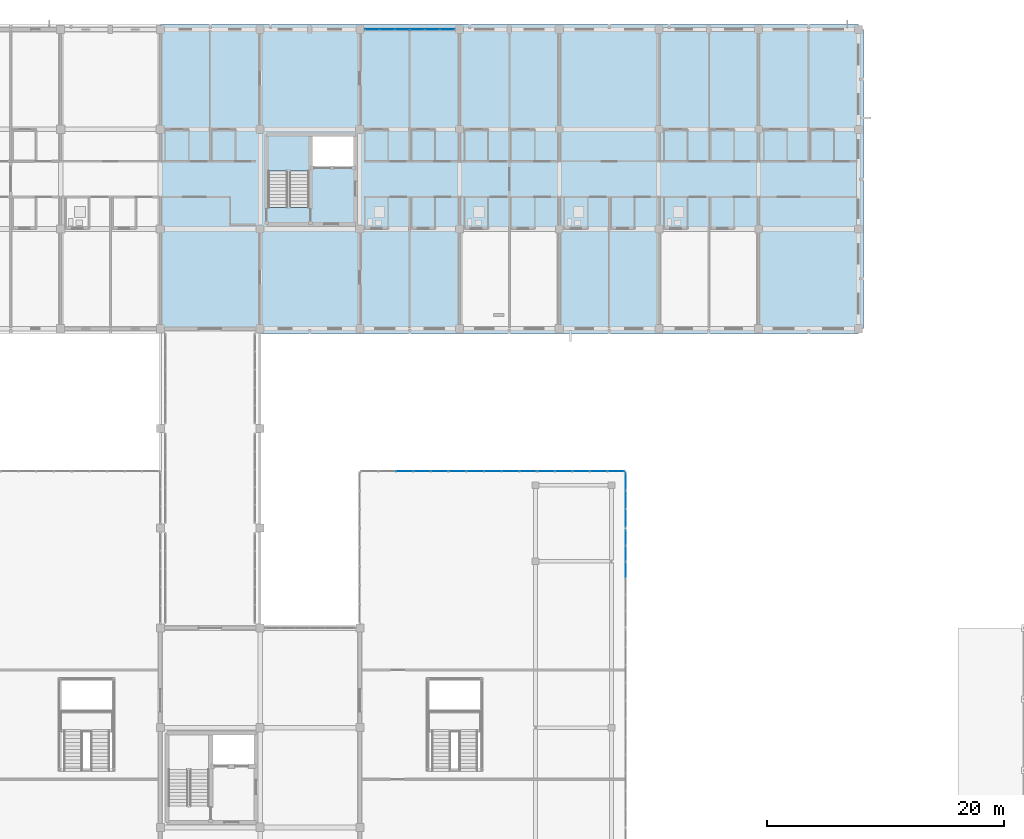
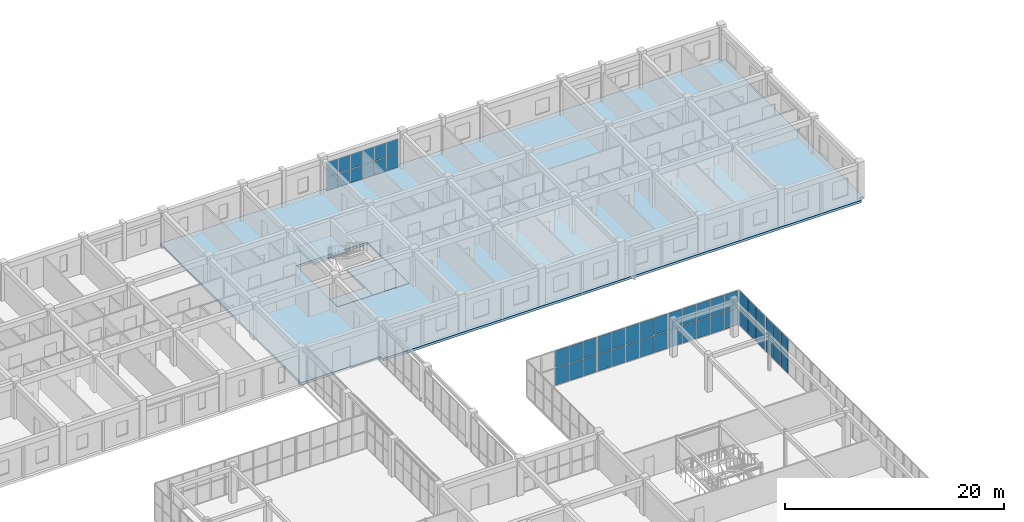
# One storey, part 104 of 140: 50 plates, 4 slabs, 7 elements without a shape of their own.
"""IFC4 building model written with IfcOpenShell, lengths in metres."""

from ifc_helpers import new_model, si_unit, direction, frame, origin, origin_2d, place, context, subcontext, project, spatial, polyline, rectangle, outline, extrude, material, layer, layer_set, type_object, element, aggregate, save


model = new_model("IFC4")

# Units and contexts
model_context = context("Model", 3, precision=1e-05, world=origin(), true_north=direction((0.0, 1.0)))
body_context = subcontext(model_context, "Body", "Model", "MODEL_VIEW")
ifc_project = project(units=[si_unit("LENGTHUNIT", "METRE"), si_unit("AREAUNIT", "SQUARE_METRE"), si_unit("VOLUMEUNIT", "CUBIC_METRE"), si_unit("PLANEANGLEUNIT", "RADIAN"), si_unit("MASSUNIT", "GRAM", prefix="KILO")], contexts=[model_context])

# Site, building, storey
site_placement = place(None, origin())
site = spatial("IfcSite", under=ifc_project, at=site_placement, CompositionType="ELEMENT")
building_placement = place(site_placement, origin())
building = spatial("IfcBuilding", under=site, at=building_placement, Name="Trelvath General Hospital", CompositionType="ELEMENT")
storey_placement = place(building_placement, frame((0.0, 0.0, 16.199951171875)))
storey = spatial("IfcBuildingStorey", under=building, at=storey_placement, Name="L04", CompositionType="ELEMENT", Elevation=16.199951171875)

# Curtain wall, plates
ifc_material_1 = material(Name="Anodised aluminium and low-E glass", Category="aluminium")
ifc_layer_1 = layer(ifc_material_1, 0.14990234375)
ifc_layer_set_1 = layer_set([ifc_layer_1], Name="Anodised aluminium and low-E glass")
curtain_wall_type_1 = type_object("IfcCurtainWallType", Name="CW Facade 761 332 15", PredefinedType="USERDEFINED", material=ifc_layer_set_1)
curtain_wall_1_placement = place(storey_placement, origin())
curtain_wall_1 = element("IfcCurtainWall", 1, at=curtain_wall_1_placement, inside=storey, type_object=curtain_wall_type_1, Name="Facade Curtain Wall CW-067", ObjectType="Unitised Glazed Curtain Wall", PredefinedType="USERDEFINED")
ifc_material_2 = material(Name="Low-E laminated glass", Category="glass")
ifc_layer_2 = layer(ifc_material_2, 0.028076171875)
ifc_layer_set_2 = layer_set([ifc_layer_2], Name="Low-E laminated glass")
plate_type = type_object("IfcPlateType", Name="CurtainPanel Glass28", PredefinedType="CURTAIN_PANEL", material=ifc_layer_set_2)
plate_1_placement = place(storey_placement, frame((93.444091796875, 117.60009765625, 0.06005859375), z_axis=(0.0, 0.0, 1.0), x_axis=(1.0, 0.0, 0.0)))
plate_1 = element("IfcPlate", 2, at=plate_1_placement, type_object=plate_type, Name="CW-067 panel 1.1", PredefinedType="CURTAIN_PANEL", context=body_context, shape_type="SweptSolid", body=[
    extrude(rectangle(XDim=1.17822265625, YDim=0.028076171875, at=origin_2d()), origin(), (0.0, 0.0, 1.0), 1.50390625),
])
plate_2_placement = place(storey_placement, frame((93.444091796875, 117.60009765625, 1.6240234375), z_axis=(0.0, 0.0, 1.0), x_axis=(1.0, 0.0, 0.0)))
plate_2 = element("IfcPlate", 3, at=plate_2_placement, type_object=plate_type, Name="CW-067 panel 1.2", PredefinedType="CURTAIN_PANEL", context=body_context, shape_type="SweptSolid", body=[
    extrude(rectangle(XDim=1.17822265625, YDim=0.028076171875, at=origin_2d()), origin(), (0.0, 0.0, 1.0), 1.635986328125),
])
plate_3_placement = place(storey_placement, frame((94.697509765625, 117.60009765625, 0.06005859375), z_axis=(0.0, 0.0, 1.0), x_axis=(1.0, 0.0, 0.0)))
plate_3 = element("IfcPlate", 4, at=plate_3_placement, type_object=plate_type, Name="CW-067 panel 2.1", PredefinedType="CURTAIN_PANEL", context=body_context, shape_type="SweptSolid", body=[
    extrude(rectangle(XDim=1.208251953125, YDim=0.028076171875, at=origin_2d()), origin(), (0.0, 0.0, 1.0), 1.50390625),
])
plate_4_placement = place(storey_placement, frame((94.697509765625, 117.60009765625, 1.6240234375), z_axis=(0.0, 0.0, 1.0), x_axis=(1.0, 0.0, 0.0)))
plate_4 = element("IfcPlate", 5, at=plate_4_placement, type_object=plate_type, Name="CW-067 panel 2.2", PredefinedType="CURTAIN_PANEL", context=body_context, shape_type="SweptSolid", body=[
    extrude(rectangle(XDim=1.208251953125, YDim=0.028076171875, at=origin_2d()), origin(), (0.0, 0.0, 1.0), 1.635986328125),
])
plate_5_placement = place(storey_placement, frame((95.9658203125, 117.60009765625, 0.06005859375), z_axis=(0.0, 0.0, 1.0), x_axis=(1.0, 0.0, 0.0)))
plate_5 = element("IfcPlate", 6, at=plate_5_placement, type_object=plate_type, Name="CW-067 panel 3.1", PredefinedType="CURTAIN_PANEL", context=body_context, shape_type="SweptSolid", body=[
    extrude(rectangle(XDim=1.208251953125, YDim=0.028076171875, at=origin_2d()), origin(), (0.0, 0.0, 1.0), 1.50390625),
])
plate_6_placement = place(storey_placement, frame((95.9658203125, 117.60009765625, 1.6240234375), z_axis=(0.0, 0.0, 1.0), x_axis=(1.0, 0.0, 0.0)))
plate_6 = element("IfcPlate", 7, at=plate_6_placement, type_object=plate_type, Name="CW-067 panel 3.2", PredefinedType="CURTAIN_PANEL", context=body_context, shape_type="SweptSolid", body=[
    extrude(rectangle(XDim=1.208251953125, YDim=0.028076171875, at=origin_2d()), origin(), (0.0, 0.0, 1.0), 1.635986328125),
])
plate_7_placement = place(storey_placement, frame((97.234130859375, 117.60009765625, 0.06005859375), z_axis=(0.0, 0.0, 1.0), x_axis=(1.0, 0.0, 0.0)))
plate_7 = element("IfcPlate", 8, at=plate_7_placement, type_object=plate_type, Name="CW-067 panel 4.1", PredefinedType="CURTAIN_PANEL", context=body_context, shape_type="SweptSolid", body=[
    extrude(rectangle(XDim=1.208251953125, YDim=0.028076171875, at=origin_2d()), origin(), (0.0, 0.0, 1.0), 1.50390625),
])
plate_8_placement = place(storey_placement, frame((97.234130859375, 117.60009765625, 1.6240234375), z_axis=(0.0, 0.0, 1.0), x_axis=(1.0, 0.0, 0.0)))
plate_8 = element("IfcPlate", 9, at=plate_8_placement, type_object=plate_type, Name="CW-067 panel 4.2", PredefinedType="CURTAIN_PANEL", context=body_context, shape_type="SweptSolid", body=[
    extrude(rectangle(XDim=1.208251953125, YDim=0.028076171875, at=origin_2d()), origin(), (0.0, 0.0, 1.0), 1.635986328125),
])
plate_9_placement = place(storey_placement, frame((98.50244140625, 117.60009765625, 0.06005859375), z_axis=(0.0, 0.0, 1.0), x_axis=(1.0, 0.0, 0.0)))
plate_9 = element("IfcPlate", 10, at=plate_9_placement, type_object=plate_type, Name="CW-067 panel 5.1", PredefinedType="CURTAIN_PANEL", context=body_context, shape_type="SweptSolid", body=[
    extrude(rectangle(XDim=1.208251953125, YDim=0.028076171875, at=origin_2d()), origin(), (0.0, 0.0, 1.0), 1.50390625),
])
plate_10_placement = place(storey_placement, frame((98.50244140625, 117.60009765625, 1.6240234375), z_axis=(0.0, 0.0, 1.0), x_axis=(1.0, 0.0, 0.0)))
plate_10 = element("IfcPlate", 11, at=plate_10_placement, type_object=plate_type, Name="CW-067 panel 5.2", PredefinedType="CURTAIN_PANEL", context=body_context, shape_type="SweptSolid", body=[
    extrude(rectangle(XDim=1.208251953125, YDim=0.028076171875, at=origin_2d()), origin(), (0.0, 0.0, 1.0), 1.635986328125),
])
plate_11_placement = place(storey_placement, frame((99.755859375, 117.60009765625, 0.06005859375), z_axis=(0.0, 0.0, 1.0), x_axis=(1.0, 0.0, 0.0)))
plate_11 = element("IfcPlate", 12, at=plate_11_placement, type_object=plate_type, Name="CW-067 panel 6.1", PredefinedType="CURTAIN_PANEL", context=body_context, shape_type="SweptSolid", body=[
    extrude(rectangle(XDim=1.17822265625, YDim=0.028076171875, at=origin_2d()), origin(), (0.0, 0.0, 1.0), 1.50390625),
])
plate_12_placement = place(storey_placement, frame((99.755859375, 117.60009765625, 1.6240234375), z_axis=(0.0, 0.0, 1.0), x_axis=(1.0, 0.0, 0.0)))
plate_12 = element("IfcPlate", 13, at=plate_12_placement, type_object=plate_type, Name="CW-067 panel 6.2", PredefinedType="CURTAIN_PANEL", context=body_context, shape_type="SweptSolid", body=[
    extrude(rectangle(XDim=1.17822265625, YDim=0.028076171875, at=origin_2d()), origin(), (0.0, 0.0, 1.0), 1.635986328125),
])
aggregate(curtain_wall_1, [plate_1, plate_2, plate_3, plate_4, plate_5, plate_6, plate_7, plate_8, plate_9, plate_10, plate_11, plate_12])

ifc_material_3 = material(Name="Anodised aluminium and low-E glass", Category="aluminium")
ifc_layer_3 = layer(ifc_material_3, 0.139892578125)
ifc_layer_set_3 = layer_set([ifc_layer_3], Name="Anodised aluminium and low-E glass")
curtain_wall_type_2 = type_object("IfcCurtainWallType", Name="CW CrystalCube 737 396 14", PredefinedType="USERDEFINED", material=ifc_layer_set_3)
curtain_wall_2_placement = place(storey_placement, origin())
curtain_wall_2 = element("IfcCurtainWall", 14, at=curtain_wall_2_placement, inside=storey, type_object=curtain_wall_type_2, Name="Crystal Cube Curtain Wall CUBE-E-T1 N1 L04", ObjectType="Unitised Glazed Curtain Wall", PredefinedType="USERDEFINED")
plate_13_placement = place(storey_placement, frame((96.163330078125, 80.39990234375, 0.06005859375), z_axis=(0.0, 0.0, 1.0), x_axis=(1.0, 0.0, 0.0)))
plate_13 = element("IfcPlate", 15, at=plate_13_placement, type_object=plate_type, Name="CW-285 panel 3.1", PredefinedType="CURTAIN_PANEL", context=body_context, shape_type="SweptSolid", body=[
    extrude(rectangle(XDim=1.413330078125, YDim=0.028076171875, at=origin_2d()), origin(), (0.0, 0.0, 1.0), 1.889892578125),
])
plate_14_placement = place(storey_placement, frame((96.163330078125, 80.39990234375, 2.01025390625), z_axis=(0.0, 0.0, 1.0), x_axis=(1.0, 0.0, 0.0)))
plate_14 = element("IfcPlate", 16, at=plate_14_placement, type_object=plate_type, Name="CW-285 panel 3.2", PredefinedType="CURTAIN_PANEL", context=body_context, shape_type="SweptSolid", body=[
    extrude(rectangle(XDim=1.413330078125, YDim=0.028076171875, at=origin_2d()), origin(), (0.0, 0.0, 1.0), 1.889892578125),
])
plate_15_placement = place(storey_placement, frame((97.63671875, 80.39990234375, 0.06005859375), z_axis=(0.0, 0.0, 1.0), x_axis=(1.0, 0.0, 0.0)))
plate_15 = element("IfcPlate", 17, at=plate_15_placement, type_object=plate_type, Name="CW-285 panel 4.1", PredefinedType="CURTAIN_PANEL", context=body_context, shape_type="SweptSolid", body=[
    extrude(rectangle(XDim=1.413330078125, YDim=0.028076171875, at=origin_2d()), origin(), (0.0, 0.0, 1.0), 1.889892578125),
])
plate_16_placement = place(storey_placement, frame((97.63671875, 80.39990234375, 2.01025390625), z_axis=(0.0, 0.0, 1.0), x_axis=(1.0, 0.0, 0.0)))
plate_16 = element("IfcPlate", 18, at=plate_16_placement, type_object=plate_type, Name="CW-285 panel 4.2", PredefinedType="CURTAIN_PANEL", context=body_context, shape_type="SweptSolid", body=[
    extrude(rectangle(XDim=1.413330078125, YDim=0.028076171875, at=origin_2d()), origin(), (0.0, 0.0, 1.0), 1.889892578125),
])
plate_17_placement = place(storey_placement, frame((99.094970703125, 80.39990234375, 0.06005859375), z_axis=(0.0, 0.0, 1.0), x_axis=(1.0, 0.0, 0.0)))
plate_17 = element("IfcPlate", 19, at=plate_17_placement, type_object=plate_type, Name="CW-285 panel 5.1", PredefinedType="CURTAIN_PANEL", context=body_context, shape_type="SweptSolid", body=[
    extrude(rectangle(XDim=1.38330078125, YDim=0.028076171875, at=origin_2d()), origin(), (0.0, 0.0, 1.0), 1.889892578125),
])
plate_18_placement = place(storey_placement, frame((99.094970703125, 80.39990234375, 2.01025390625), z_axis=(0.0, 0.0, 1.0), x_axis=(1.0, 0.0, 0.0)))
plate_18 = element("IfcPlate", 20, at=plate_18_placement, type_object=plate_type, Name="CW-285 panel 5.2", PredefinedType="CURTAIN_PANEL", context=body_context, shape_type="SweptSolid", body=[
    extrude(rectangle(XDim=1.38330078125, YDim=0.028076171875, at=origin_2d()), origin(), (0.0, 0.0, 1.0), 1.889892578125),
])
aggregate(curtain_wall_2, [plate_13, plate_14, plate_15, plate_16, plate_17, plate_18])

ifc_material_4 = material(Name="Anodised aluminium and low-E glass", Category="aluminium")
ifc_layer_4 = layer(ifc_material_4, 0.139892578125)
ifc_layer_set_4 = layer_set([ifc_layer_4], Name="Anodised aluminium and low-E glass")
curtain_wall_type_3 = type_object("IfcCurtainWallType", Name="CW CrystalCube 743 396 14", PredefinedType="USERDEFINED", material=ifc_layer_set_4)
curtain_wall_3_placement = place(storey_placement, origin())
curtain_wall_3 = element("IfcCurtainWall", 21, at=curtain_wall_3_placement, inside=storey, type_object=curtain_wall_type_3, Name="Crystal Cube Curtain Wall CUBE-E-T1 N2 L04", ObjectType="Unitised Glazed Curtain Wall", PredefinedType="USERDEFINED")
plate_19_placement = place(storey_placement, frame((100.644287109375, 80.39990234375, 0.06005859375), z_axis=(0.0, 0.0, 1.0), x_axis=(1.0, 0.0, 0.0)))
plate_19 = element("IfcPlate", 22, at=plate_19_placement, type_object=plate_type, Name="CW-286 panel 1.1", PredefinedType="CURTAIN_PANEL", context=body_context, shape_type="SweptSolid", body=[
    extrude(rectangle(XDim=1.395263671875, YDim=0.028076171875, at=origin_2d()), origin(), (0.0, 0.0, 1.0), 1.889892578125),
])
plate_20_placement = place(storey_placement, frame((100.644287109375, 80.39990234375, 2.01025390625), z_axis=(0.0, 0.0, 1.0), x_axis=(1.0, 0.0, 0.0)))
plate_20 = element("IfcPlate", 23, at=plate_20_placement, type_object=plate_type, Name="CW-286 panel 1.2", PredefinedType="CURTAIN_PANEL", context=body_context, shape_type="SweptSolid", body=[
    extrude(rectangle(XDim=1.395263671875, YDim=0.028076171875, at=origin_2d()), origin(), (0.0, 0.0, 1.0), 1.889892578125),
])
plate_21_placement = place(storey_placement, frame((102.11474609375, 80.39990234375, 0.06005859375), z_axis=(0.0, 0.0, 1.0), x_axis=(1.0, 0.0, 0.0)))
plate_21 = element("IfcPlate", 24, at=plate_21_placement, type_object=plate_type, Name="CW-286 panel 2.1", PredefinedType="CURTAIN_PANEL", context=body_context, shape_type="SweptSolid", body=[
    extrude(rectangle(XDim=1.42529296875, YDim=0.028076171875, at=origin_2d()), origin(), (0.0, 0.0, 1.0), 1.889892578125),
])
plate_22_placement = place(storey_placement, frame((102.11474609375, 80.39990234375, 2.01025390625), z_axis=(0.0, 0.0, 1.0), x_axis=(1.0, 0.0, 0.0)))
plate_22 = element("IfcPlate", 25, at=plate_22_placement, type_object=plate_type, Name="CW-286 panel 2.2", PredefinedType="CURTAIN_PANEL", context=body_context, shape_type="SweptSolid", body=[
    extrude(rectangle(XDim=1.42529296875, YDim=0.028076171875, at=origin_2d()), origin(), (0.0, 0.0, 1.0), 1.889892578125),
])
plate_23_placement = place(storey_placement, frame((103.60009765625, 80.39990234375, 0.06005859375), z_axis=(0.0, 0.0, 1.0), x_axis=(1.0, 0.0, 0.0)))
plate_23 = element("IfcPlate", 26, at=plate_23_placement, type_object=plate_type, Name="CW-286 panel 3.1", PredefinedType="CURTAIN_PANEL", context=body_context, shape_type="SweptSolid", body=[
    extrude(rectangle(XDim=1.42529296875, YDim=0.028076171875, at=origin_2d()), origin(), (0.0, 0.0, 1.0), 1.889892578125),
])
plate_24_placement = place(storey_placement, frame((103.60009765625, 80.39990234375, 2.01025390625), z_axis=(0.0, 0.0, 1.0), x_axis=(1.0, 0.0, 0.0)))
plate_24 = element("IfcPlate", 27, at=plate_24_placement, type_object=plate_type, Name="CW-286 panel 3.2", PredefinedType="CURTAIN_PANEL", context=body_context, shape_type="SweptSolid", body=[
    extrude(rectangle(XDim=1.42529296875, YDim=0.028076171875, at=origin_2d()), origin(), (0.0, 0.0, 1.0), 1.889892578125),
])
plate_25_placement = place(storey_placement, frame((105.085205078125, 80.39990234375, 0.06005859375), z_axis=(0.0, 0.0, 1.0), x_axis=(1.0, 0.0, 0.0)))
plate_25 = element("IfcPlate", 28, at=plate_25_placement, type_object=plate_type, Name="CW-286 panel 4.1", PredefinedType="CURTAIN_PANEL", context=body_context, shape_type="SweptSolid", body=[
    extrude(rectangle(XDim=1.42529296875, YDim=0.028076171875, at=origin_2d()), origin(), (0.0, 0.0, 1.0), 1.889892578125),
])
plate_26_placement = place(storey_placement, frame((105.085205078125, 80.39990234375, 2.01025390625), z_axis=(0.0, 0.0, 1.0), x_axis=(1.0, 0.0, 0.0)))
plate_26 = element("IfcPlate", 29, at=plate_26_placement, type_object=plate_type, Name="CW-286 panel 4.2", PredefinedType="CURTAIN_PANEL", context=body_context, shape_type="SweptSolid", body=[
    extrude(rectangle(XDim=1.42529296875, YDim=0.028076171875, at=origin_2d()), origin(), (0.0, 0.0, 1.0), 1.889892578125),
])
plate_27_placement = place(storey_placement, frame((106.5556640625, 80.39990234375, 0.06005859375), z_axis=(0.0, 0.0, 1.0), x_axis=(1.0, 0.0, 0.0)))
plate_27 = element("IfcPlate", 30, at=plate_27_placement, type_object=plate_type, Name="CW-286 panel 5.1", PredefinedType="CURTAIN_PANEL", context=body_context, shape_type="SweptSolid", body=[
    extrude(rectangle(XDim=1.395263671875, YDim=0.028076171875, at=origin_2d()), origin(), (0.0, 0.0, 1.0), 1.889892578125),
])
plate_28_placement = place(storey_placement, frame((106.5556640625, 80.39990234375, 2.01025390625), z_axis=(0.0, 0.0, 1.0), x_axis=(1.0, 0.0, 0.0)))
plate_28 = element("IfcPlate", 31, at=plate_28_placement, type_object=plate_type, Name="CW-286 panel 5.2", PredefinedType="CURTAIN_PANEL", context=body_context, shape_type="SweptSolid", body=[
    extrude(rectangle(XDim=1.395263671875, YDim=0.028076171875, at=origin_2d()), origin(), (0.0, 0.0, 1.0), 1.889892578125),
])
aggregate(curtain_wall_3, [plate_19, plate_20, plate_21, plate_22, plate_23, plate_24, plate_25, plate_26, plate_27, plate_28])

curtain_wall_4_placement = place(storey_placement, origin())
curtain_wall_4 = element("IfcCurtainWall", 32, at=curtain_wall_4_placement, inside=storey, type_object=curtain_wall_type_2, Name="Crystal Cube Curtain Wall CUBE-E-T1 N3 L04", ObjectType="Unitised Glazed Curtain Wall", PredefinedType="USERDEFINED")
plate_29_placement = place(storey_placement, frame((108.10498046875, 80.39990234375, 0.06005859375), z_axis=(0.0, 0.0, 1.0), x_axis=(1.0, 0.0, 0.0)))
plate_29 = element("IfcPlate", 33, at=plate_29_placement, type_object=plate_type, Name="CW-287 panel 1.1", PredefinedType="CURTAIN_PANEL", context=body_context, shape_type="SweptSolid", body=[
    extrude(rectangle(XDim=1.38330078125, YDim=0.028076171875, at=origin_2d()), origin(), (0.0, 0.0, 1.0), 1.889892578125),
])
plate_30_placement = place(storey_placement, frame((108.10498046875, 80.39990234375, 2.01025390625), z_axis=(0.0, 0.0, 1.0), x_axis=(1.0, 0.0, 0.0)))
plate_30 = element("IfcPlate", 34, at=plate_30_placement, type_object=plate_type, Name="CW-287 panel 1.2", PredefinedType="CURTAIN_PANEL", context=body_context, shape_type="SweptSolid", body=[
    extrude(rectangle(XDim=1.38330078125, YDim=0.028076171875, at=origin_2d()), origin(), (0.0, 0.0, 1.0), 1.889892578125),
])
plate_31_placement = place(storey_placement, frame((109.563232421875, 80.39990234375, 0.06005859375), z_axis=(0.0, 0.0, 1.0), x_axis=(1.0, 0.0, 0.0)))
plate_31 = element("IfcPlate", 35, at=plate_31_placement, type_object=plate_type, Name="CW-287 panel 2.1", PredefinedType="CURTAIN_PANEL", context=body_context, shape_type="SweptSolid", body=[
    extrude(rectangle(XDim=1.413330078125, YDim=0.028076171875, at=origin_2d()), origin(), (0.0, 0.0, 1.0), 1.889892578125),
])
plate_32_placement = place(storey_placement, frame((109.563232421875, 80.39990234375, 2.01025390625), z_axis=(0.0, 0.0, 1.0), x_axis=(1.0, 0.0, 0.0)))
plate_32 = element("IfcPlate", 36, at=plate_32_placement, type_object=plate_type, Name="CW-287 panel 2.2", PredefinedType="CURTAIN_PANEL", context=body_context, shape_type="SweptSolid", body=[
    extrude(rectangle(XDim=1.413330078125, YDim=0.028076171875, at=origin_2d()), origin(), (0.0, 0.0, 1.0), 1.889892578125),
])
plate_33_placement = place(storey_placement, frame((111.03662109375, 80.39990234375, 0.06005859375), z_axis=(0.0, 0.0, 1.0), x_axis=(1.0, 0.0, 0.0)))
plate_33 = element("IfcPlate", 37, at=plate_33_placement, type_object=plate_type, Name="CW-287 panel 3.1", PredefinedType="CURTAIN_PANEL", context=body_context, shape_type="SweptSolid", body=[
    extrude(rectangle(XDim=1.413330078125, YDim=0.028076171875, at=origin_2d()), origin(), (0.0, 0.0, 1.0), 1.889892578125),
])
plate_34_placement = place(storey_placement, frame((111.03662109375, 80.39990234375, 2.01025390625), z_axis=(0.0, 0.0, 1.0), x_axis=(1.0, 0.0, 0.0)))
plate_34 = element("IfcPlate", 38, at=plate_34_placement, type_object=plate_type, Name="CW-287 panel 3.2", PredefinedType="CURTAIN_PANEL", context=body_context, shape_type="SweptSolid", body=[
    extrude(rectangle(XDim=1.413330078125, YDim=0.028076171875, at=origin_2d()), origin(), (0.0, 0.0, 1.0), 1.889892578125),
])
plate_35_placement = place(storey_placement, frame((112.510009765625, 80.39990234375, 0.06005859375), z_axis=(0.0, 0.0, 1.0), x_axis=(1.0, 0.0, 0.0)))
plate_35 = element("IfcPlate", 39, at=plate_35_placement, type_object=plate_type, Name="CW-287 panel 4.1", PredefinedType="CURTAIN_PANEL", context=body_context, shape_type="SweptSolid", body=[
    extrude(rectangle(XDim=1.413330078125, YDim=0.028076171875, at=origin_2d()), origin(), (0.0, 0.0, 1.0), 1.889892578125),
])
plate_36_placement = place(storey_placement, frame((112.510009765625, 80.39990234375, 2.01025390625), z_axis=(0.0, 0.0, 1.0), x_axis=(1.0, 0.0, 0.0)))
plate_36 = element("IfcPlate", 40, at=plate_36_placement, type_object=plate_type, Name="CW-287 panel 4.2", PredefinedType="CURTAIN_PANEL", context=body_context, shape_type="SweptSolid", body=[
    extrude(rectangle(XDim=1.413330078125, YDim=0.028076171875, at=origin_2d()), origin(), (0.0, 0.0, 1.0), 1.889892578125),
])
plate_37_placement = place(storey_placement, frame((113.96826171875, 80.39990234375, 0.06005859375), z_axis=(0.0, 0.0, 1.0), x_axis=(1.0, 0.0, 0.0)))
plate_37 = element("IfcPlate", 41, at=plate_37_placement, type_object=plate_type, Name="CW-287 panel 5.1", PredefinedType="CURTAIN_PANEL", context=body_context, shape_type="SweptSolid", body=[
    extrude(rectangle(XDim=1.38330078125, YDim=0.028076171875, at=origin_2d()), origin(), (0.0, 0.0, 1.0), 1.889892578125),
])
plate_38_placement = place(storey_placement, frame((113.96826171875, 80.39990234375, 2.01025390625), z_axis=(0.0, 0.0, 1.0), x_axis=(1.0, 0.0, 0.0)))
plate_38 = element("IfcPlate", 42, at=plate_38_placement, type_object=plate_type, Name="CW-287 panel 5.2", PredefinedType="CURTAIN_PANEL", context=body_context, shape_type="SweptSolid", body=[
    extrude(rectangle(XDim=1.38330078125, YDim=0.028076171875, at=origin_2d()), origin(), (0.0, 0.0, 1.0), 1.889892578125),
])
aggregate(curtain_wall_4, [plate_29, plate_30, plate_31, plate_32, plate_33, plate_34, plate_35, plate_36, plate_37, plate_38])

ifc_material_5 = material(Name="Anodised aluminium and low-E glass", Category="aluminium")
ifc_layer_5 = layer(ifc_material_5, 0.139892578125)
ifc_layer_set_5 = layer_set([ifc_layer_5], Name="Anodised aluminium and low-E glass")
curtain_wall_type_4 = type_object("IfcCurtainWallType", Name="CW CrystalCube 824 396 14", PredefinedType="USERDEFINED", material=ifc_layer_set_5)
curtain_wall_5_placement = place(storey_placement, origin())
curtain_wall_5 = element("IfcCurtainWall", 43, at=curtain_wall_5_placement, inside=storey, type_object=curtain_wall_type_4, Name="Crystal Cube Curtain Wall CUBE-E-T1 E4 L04", ObjectType="Unitised Glazed Curtain Wall", PredefinedType="USERDEFINED")
plate_39_placement = place(storey_placement, frame((114.800048828125, 74.818359375, 0.06005859375), z_axis=(0.0, 0.0, 1.0), x_axis=(0.0, -1.0, 0.0)))
plate_39 = element("IfcPlate", 44, at=plate_39_placement, type_object=plate_type, Name="CW-292 panel 1.1", PredefinedType="CURTAIN_PANEL", context=body_context, shape_type="SweptSolid", body=[
    extrude(rectangle(XDim=1.283447265625, YDim=0.028076171875, at=origin_2d()), origin(), (0.0, 0.0, 1.0), 1.889892578125),
])
plate_40_placement = place(storey_placement, frame((114.800048828125, 74.818359375, 2.01025390625), z_axis=(0.0, 0.0, 1.0), x_axis=(0.0, -1.0, 0.0)))
plate_40 = element("IfcPlate", 45, at=plate_40_placement, type_object=plate_type, Name="CW-292 panel 1.2", PredefinedType="CURTAIN_PANEL", context=body_context, shape_type="SweptSolid", body=[
    extrude(rectangle(XDim=1.283447265625, YDim=0.028076171875, at=origin_2d()), origin(), (0.0, 0.0, 1.0), 1.889892578125),
])
plate_41_placement = place(storey_placement, frame((114.800048828125, 73.4599609375, 0.06005859375), z_axis=(0.0, 0.0, 1.0), x_axis=(0.0, -1.0, 0.0)))
plate_41 = element("IfcPlate", 46, at=plate_41_placement, type_object=plate_type, Name="CW-292 panel 2.1", PredefinedType="CURTAIN_PANEL", context=body_context, shape_type="SweptSolid", body=[
    extrude(rectangle(XDim=1.313232421875, YDim=0.028076171875, at=origin_2d()), origin(), (0.0, 0.0, 1.0), 1.889892578125),
])
plate_42_placement = place(storey_placement, frame((114.800048828125, 73.4599609375, 2.01025390625), z_axis=(0.0, 0.0, 1.0), x_axis=(0.0, -1.0, 0.0)))
plate_42 = element("IfcPlate", 47, at=plate_42_placement, type_object=plate_type, Name="CW-292 panel 2.2", PredefinedType="CURTAIN_PANEL", context=body_context, shape_type="SweptSolid", body=[
    extrude(rectangle(XDim=1.313232421875, YDim=0.028076171875, at=origin_2d()), origin(), (0.0, 0.0, 1.0), 1.889892578125),
])
plate_43_placement = place(storey_placement, frame((114.800048828125, 72.086669921875, 0.06005859375), z_axis=(0.0, 0.0, 1.0), x_axis=(0.0, -1.0, 0.0)))
plate_43 = element("IfcPlate", 48, at=plate_43_placement, type_object=plate_type, Name="CW-292 panel 3.1", PredefinedType="CURTAIN_PANEL", context=body_context, shape_type="SweptSolid", body=[
    extrude(rectangle(XDim=1.313232421875, YDim=0.028076171875, at=origin_2d()), origin(), (0.0, 0.0, 1.0), 1.889892578125),
])
plate_44_placement = place(storey_placement, frame((114.800048828125, 72.086669921875, 2.01025390625), z_axis=(0.0, 0.0, 1.0), x_axis=(0.0, -1.0, 0.0)))
plate_44 = element("IfcPlate", 49, at=plate_44_placement, type_object=plate_type, Name="CW-292 panel 3.2", PredefinedType="CURTAIN_PANEL", context=body_context, shape_type="SweptSolid", body=[
    extrude(rectangle(XDim=1.313232421875, YDim=0.028076171875, at=origin_2d()), origin(), (0.0, 0.0, 1.0), 1.889892578125),
])
aggregate(curtain_wall_5, [plate_39, plate_40, plate_41, plate_42, plate_43, plate_44])

ifc_material_6 = material(Name="Anodised aluminium and low-E glass", Category="aluminium")
ifc_layer_6 = layer(ifc_material_6, 0.139892578125)
ifc_layer_set_6 = layer_set([ifc_layer_6], Name="Anodised aluminium and low-E glass")
curtain_wall_type_5 = type_object("IfcCurtainWallType", Name="CW CrystalCube 464 396 14", PredefinedType="USERDEFINED", material=ifc_layer_set_6)
curtain_wall_6_placement = place(storey_placement, origin())
curtain_wall_6 = element("IfcCurtainWall", 50, at=curtain_wall_6_placement, inside=storey, type_object=curtain_wall_type_5, Name="Crystal Cube Curtain Wall CUBE-E-T1 E5 L04", ObjectType="Unitised Glazed Curtain Wall", PredefinedType="USERDEFINED")
plate_45_placement = place(storey_placement, frame((114.800048828125, 79.53173828125, 0.06005859375), z_axis=(0.0, 0.0, 1.0), x_axis=(0.0, -1.0, 0.0)))
plate_45 = element("IfcPlate", 51, at=plate_45_placement, type_object=plate_type, Name="CW-294 panel 1.1", PredefinedType="CURTAIN_PANEL", context=body_context, shape_type="SweptSolid", body=[
    extrude(rectangle(XDim=1.456787109375, YDim=0.028076171875, at=origin_2d()), origin(), (0.0, 0.0, 1.0), 1.889892578125),
])
plate_46_placement = place(storey_placement, frame((114.800048828125, 79.53173828125, 2.01025390625), z_axis=(0.0, 0.0, 1.0), x_axis=(0.0, -1.0, 0.0)))
plate_46 = element("IfcPlate", 52, at=plate_46_placement, type_object=plate_type, Name="CW-294 panel 1.2", PredefinedType="CURTAIN_PANEL", context=body_context, shape_type="SweptSolid", body=[
    extrude(rectangle(XDim=1.456787109375, YDim=0.028076171875, at=origin_2d()), origin(), (0.0, 0.0, 1.0), 1.889892578125),
])
plate_47_placement = place(storey_placement, frame((114.800048828125, 78.0, 0.06005859375), z_axis=(0.0, 0.0, 1.0), x_axis=(0.0, -1.0, 0.0)))
plate_47 = element("IfcPlate", 53, at=plate_47_placement, type_object=plate_type, Name="CW-294 panel 2.1", PredefinedType="CURTAIN_PANEL", context=body_context, shape_type="SweptSolid", body=[
    extrude(rectangle(XDim=1.486572265625, YDim=0.028076171875, at=origin_2d()), origin(), (0.0, 0.0, 1.0), 1.889892578125),
])
plate_48_placement = place(storey_placement, frame((114.800048828125, 78.0, 2.01025390625), z_axis=(0.0, 0.0, 1.0), x_axis=(0.0, -1.0, 0.0)))
plate_48 = element("IfcPlate", 54, at=plate_48_placement, type_object=plate_type, Name="CW-294 panel 2.2", PredefinedType="CURTAIN_PANEL", context=body_context, shape_type="SweptSolid", body=[
    extrude(rectangle(XDim=1.486572265625, YDim=0.028076171875, at=origin_2d()), origin(), (0.0, 0.0, 1.0), 1.889892578125),
])
plate_49_placement = place(storey_placement, frame((114.800048828125, 76.46826171875, 0.06005859375), z_axis=(0.0, 0.0, 1.0), x_axis=(0.0, -1.0, 0.0)))
plate_49 = element("IfcPlate", 55, at=plate_49_placement, type_object=plate_type, Name="CW-294 panel 3.1", PredefinedType="CURTAIN_PANEL", context=body_context, shape_type="SweptSolid", body=[
    extrude(rectangle(XDim=1.456787109375, YDim=0.028076171875, at=origin_2d()), origin(), (0.0, 0.0, 1.0), 1.889892578125),
])
plate_50_placement = place(storey_placement, frame((114.800048828125, 76.46826171875, 2.01025390625), z_axis=(0.0, 0.0, 1.0), x_axis=(0.0, -1.0, 0.0)))
plate_50 = element("IfcPlate", 56, at=plate_50_placement, type_object=plate_type, Name="CW-294 panel 3.2", PredefinedType="CURTAIN_PANEL", context=body_context, shape_type="SweptSolid", body=[
    extrude(rectangle(XDim=1.456787109375, YDim=0.028076171875, at=origin_2d()), origin(), (0.0, 0.0, 1.0), 1.889892578125),
])
aggregate(curtain_wall_6, [plate_45, plate_46, plate_47, plate_48, plate_49, plate_50])

# Slabs
ifc_material_7 = material(Name="Concrete C35/45", Category="concrete")
ifc_layer_7 = layer(ifc_material_7, 0.260009765625)
ifc_layer_set_7 = layer_set([ifc_layer_7], Name="Concrete C35/45")
slab_type_1 = type_object("IfcSlabType", Name="FlatSlab Ward260", PredefinedType="FLOOR", material=ifc_layer_set_7)
slab_1_placement = place(storey_placement, frame((0.0, 0.0, -0.260009765625)))
element("IfcSlab", 57, at=slab_1_placement, inside=storey, type_object=slab_type_1, Name="Floor Slab SL-L04-V5-N1", PredefinedType="FLOOR", context=body_context, shape_type="SweptSolid", body=[
    extrude(outline(polyline([(75.6201171875, 92.39990234375), (75.6201171875, 118.02001953125), (134.39990234375, 118.02001953125), (134.39990234375, 117.60009765625), (134.820068359375, 117.60009765625), (134.820068359375, 92.39990234375), (134.39990234375, 92.39990234375), (134.39990234375, 91.97998046875), (84.0, 91.97998046875), (84.0, 92.39990234375), (75.6201171875, 92.39990234375)]), holes=[polyline([(84.550048828125, 101.199951171875), (92.050048828125, 101.199951171875), (92.050048828125, 108.75), (84.550048828125, 108.75), (84.550048828125, 101.199951171875)])]), origin(), (0.0, 0.0, 1.0), 0.260009765625),
])
slab_2_placement = place(storey_placement, frame((0.0, 0.0, -0.260009765625)))
element("IfcSlab", 58, at=slab_2_placement, inside=storey, type_object=slab_type_1, Name="Core Lobby Slab C2 L04", PredefinedType="FLOOR", context=body_context, shape_type="SweptSolid", body=[
    extrude(outline(polyline([(88.25, 101.199951171875), (92.050048828125, 101.199951171875), (92.050048828125, 105.949951171875), (88.25, 105.949951171875), (88.25, 101.199951171875)])), origin(), (0.0, 0.0, 1.0), 0.260009765625),
])
slab_3_placement = place(storey_placement, frame((0.0, 0.0, -0.260009765625)))
element("IfcSlab", 59, at=slab_3_placement, inside=storey, type_object=slab_type_1, Name="Stair Landing Slab C2 L04", PredefinedType="FLOOR", context=body_context, shape_type="SweptSolid", body=[
    extrude(outline(polyline([(84.550048828125, 101.199951171875), (88.25, 101.199951171875), (88.25, 102.60009765625), (84.550048828125, 102.60009765625), (84.550048828125, 101.199951171875)])), origin(), (0.0, 0.0, 1.0), 0.260009765625),
])

# Stair, slab
ifc_material_8 = material(Name="Concrete C35/45", Category="concrete")
stair_type = type_object("IfcStairType", Name="Stair Stretcher420", PredefinedType="TWO_STRAIGHT_RUN_STAIR", material=ifc_material_8)
stair_placement = place(storey_placement, origin())
stair = element("IfcStair", 60, at=stair_placement, inside=storey, type_object=stair_type, Name="Exit Stair ST2 L04", PredefinedType="TWO_STRAIGHT_RUN_STAIR")
ifc_material_9 = material(Name="Concrete C35/45", Category="concrete")
ifc_layer_8 = layer(ifc_material_9, 0.199951171875)
ifc_layer_set_8 = layer_set([ifc_layer_8], Name="Concrete C35/45")
slab_type_2 = type_object("IfcSlabType", Name="StairLanding 200", PredefinedType="LANDING", material=ifc_layer_set_8)
slab_4_placement = place(storey_placement, frame((0.0, 0.0, 1.900146484375)))
slab_4 = element("IfcSlab", 61, at=slab_4_placement, type_object=slab_type_2, Name="ST2-L04 landing 1", PredefinedType="LANDING", context=body_context, shape_type="SweptSolid", body=[
    extrude(outline(polyline([(84.56005859375, 105.679931640625), (88.239990234375, 105.679931640625), (88.239990234375, 108.739990234375), (84.56005859375, 108.739990234375), (84.56005859375, 105.679931640625)])), origin(), (0.0, 0.0, 1.0), 0.199951171875),
])
aggregate(stair, [slab_4])

save(model, "model.ifc")
